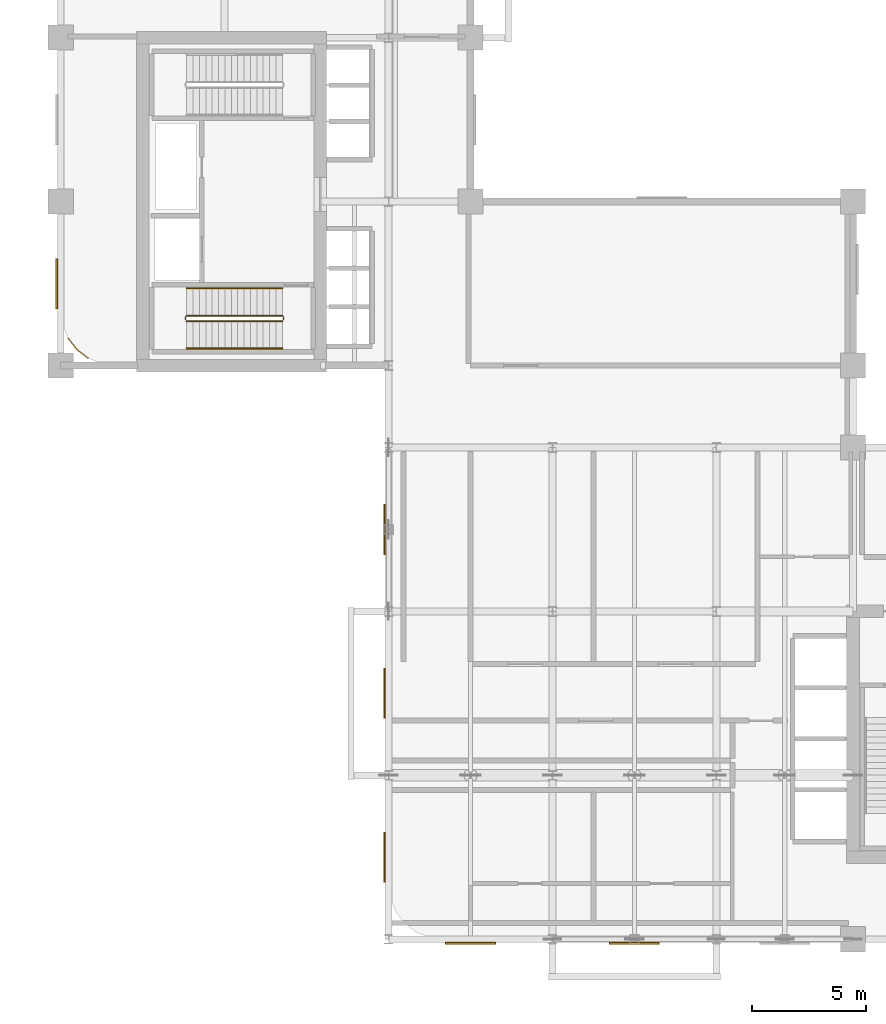
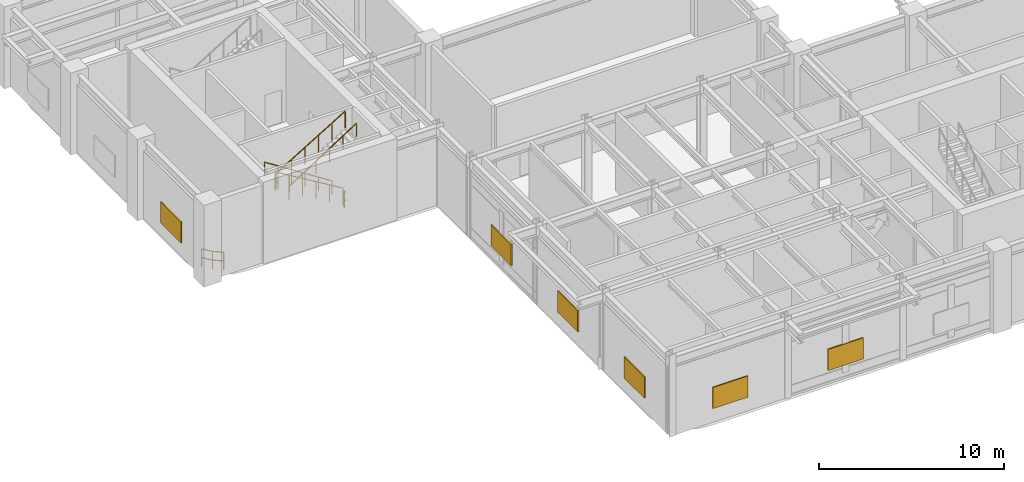
# One storey, part 10 of 12: 7 railings, 6 shading devices.
"""IFC4 building model written with IfcOpenShell, lengths in metres."""

from ifc_helpers import new_model, si_unit, derived_unit, direction, frame, origin, origin_2d, place, context, subcontext, project, spatial, rectangle, extrude, source, transform, mapped, material, layer, layer_set, type_object, type_shapes, element, save


model = new_model("IFC4")

# Units and contexts
model_context = context("Model", 3, precision=1e-05, world=origin(), true_north=direction((0.0, 1.0)))
body_context = subcontext(model_context, "Body", "Model", "MODEL_VIEW")
ifc_project = project(units=[si_unit("LENGTHUNIT", "METRE"), si_unit("AREAUNIT", "SQUARE_METRE"), si_unit("VOLUMEUNIT", "CUBIC_METRE"), si_unit("PLANEANGLEUNIT", "RADIAN"), si_unit("MASSUNIT", "GRAM", prefix="KILO"), si_unit("THERMODYNAMICTEMPERATUREUNIT", "KELVIN"), si_unit("POWERUNIT", "WATT"), derived_unit("THERMALTRANSMITTANCEUNIT", [(si_unit("POWERUNIT", "WATT"), 1), (si_unit("AREAUNIT", "SQUARE_METRE"), -1), (si_unit("THERMODYNAMICTEMPERATUREUNIT", "KELVIN"), -1)])], contexts=[model_context])

# Site, building, storey
site_placement = place(None, origin())
site = spatial("IfcSite", under=ifc_project, at=site_placement, CompositionType="ELEMENT")
building_placement = place(site_placement, origin())
building = spatial("IfcBuilding", under=site, at=building_placement, Name="Zahravan Archway Hotel and Residences", CompositionType="ELEMENT")
storey_placement = place(building_placement, frame((0.0, 0.0, 106.39990234375)))
storey = spatial("IfcBuildingStorey", under=building, at=storey_placement, Name="L26", CompositionType="ELEMENT", Elevation=106.39990234375)

# Railings
ifc_material_1 = material(Name="Painted Tubular Steel", Category="steel")
railing_type_1 = type_object("IfcRailingType", Name="RL-STG-1150", PredefinedType="GUARDRAIL", material=ifc_material_1)
railing_1_placement = place(storey_placement, frame((9.72998046875, 27.389892578125, 0.1689453125)))
element("IfcRailing", 1, at=railing_1_placement, inside=storey, type_object=railing_type_1, Name="L26 ST-B1 stair guard 1", PredefinedType="GUARDRAIL", context=body_context, shape_type="SweptSolid", body=[
    extrude(rectangle(XDim=0.048095703125, YDim=0.048095703125, at=origin_2d()), frame((0.0, 0.0, 1.1259765625), z_axis=(-0.856476492594, 0.0, 0.516186030065), x_axis=(0.0, -1.0, 0.0)), (0.0, 0.0, 1.0), 4.90380859375),
    extrude(rectangle(XDim=0.0419921875, YDim=0.0419921875, at=origin_2d()), origin(), (0.0, 0.0, 1.0), 1.101806640625),
    extrude(rectangle(XDim=0.0419921875, YDim=0.0419921875, at=origin_2d()), frame((-0.840087890625, 0.0, 0.50634765625)), (0.0, 0.0, 1.0), 1.101806640625),
    extrude(rectangle(XDim=0.0419921875, YDim=0.0419921875, at=origin_2d()), frame((-1.679931640625, 0.0, 1.012451171875)), (0.0, 0.0, 1.0), 1.101806640625),
    extrude(rectangle(XDim=0.0419921875, YDim=0.0419921875, at=origin_2d()), frame((-2.52001953125, 0.0, 1.518798828125)), (0.0, 0.0, 1.0), 1.101806640625),
    extrude(rectangle(XDim=0.0419921875, YDim=0.0419921875, at=origin_2d()), frame((-3.35986328125, 0.0, 2.02490234375)), (0.0, 0.0, 1.0), 1.101806640625),
    extrude(rectangle(XDim=0.0419921875, YDim=0.0419921875, at=origin_2d()), frame((-4.199951171875, 0.0, 2.53125)), (0.0, 0.0, 1.0), 1.101806640625),
])
railing_2_placement = place(storey_placement, frame((5.47998046875, 27.340087890625, 2.7001953125)))
element("IfcRailing", 2, at=railing_2_placement, inside=storey, type_object=railing_type_1, Name="L26 ST-B1 stair guard 2", PredefinedType="GUARDRAIL", context=body_context, shape_type="SweptSolid", body=[
    extrude(rectangle(XDim=0.048095703125, YDim=0.048095703125, at=origin_2d()), frame((0.0, 0.0, 1.1259765625), z_axis=(0.0, -1.0, 0.0), x_axis=(1.0, 0.0, 0.0)), (0.0, 0.0, 1.0), 0.14013671875),
    extrude(rectangle(XDim=0.048095703125, YDim=0.048095703125, at=origin_2d()), frame((0.0, 0.0, 0.574951171875), z_axis=(0.0, -1.0, 0.0), x_axis=(1.0, 0.0, 0.0)), (0.0, 0.0, 1.0), 0.14013671875),
    extrude(rectangle(XDim=0.0419921875, YDim=0.0419921875, at=origin_2d()), origin(), (0.0, 0.0, 1.0), 1.101806640625),
])
railing_3_placement = place(storey_placement, frame((5.530029296875, 27.14990234375, 2.868896484375)))
element("IfcRailing", 3, at=railing_3_placement, inside=storey, type_object=railing_type_1, Name="L26 ST-B1 stair guard 3", PredefinedType="GUARDRAIL", context=body_context, shape_type="SweptSolid", body=[
    extrude(rectangle(XDim=0.048095703125, YDim=0.048095703125, at=origin_2d()), frame((0.0, 0.0, 1.1259765625), z_axis=(0.856476492594, 0.0, 0.516186030065), x_axis=(0.0, 1.0, 0.0)), (0.0, 0.0, 1.0), 4.90380859375),
    extrude(rectangle(XDim=0.0419921875, YDim=0.0419921875, at=origin_2d()), origin(), (0.0, 0.0, 1.0), 1.101806640625),
    extrude(rectangle(XDim=0.0419921875, YDim=0.0419921875, at=origin_2d()), frame((0.840087890625, 0.0, 0.50634765625)), (0.0, 0.0, 1.0), 1.101806640625),
    extrude(rectangle(XDim=0.0419921875, YDim=0.0419921875, at=origin_2d()), frame((1.679931640625, 0.0, 1.012451171875)), (0.0, 0.0, 1.0), 1.101806640625),
    extrude(rectangle(XDim=0.0419921875, YDim=0.0419921875, at=origin_2d()), frame((2.52001953125, 0.0, 1.518798828125)), (0.0, 0.0, 1.0), 1.101806640625),
    extrude(rectangle(XDim=0.0419921875, YDim=0.0419921875, at=origin_2d()), frame((3.35986328125, 0.0, 2.02490234375)), (0.0, 0.0, 1.0), 1.101806640625),
    extrude(rectangle(XDim=0.0419921875, YDim=0.0419921875, at=origin_2d()), frame((4.199951171875, 0.0, 2.53125)), (0.0, 0.0, 1.0), 1.101806640625),
])
railing_4_placement = place(storey_placement, frame((9.780029296875, 27.340087890625, 0.0)))
element("IfcRailing", 4, at=railing_4_placement, inside=storey, type_object=railing_type_1, Name="L26 ST-B1 stair guard 4", PredefinedType="GUARDRAIL", context=body_context, shape_type="SweptSolid", body=[
    extrude(rectangle(XDim=0.048095703125, YDim=0.048095703125, at=origin_2d()), frame((0.0, 0.0, 1.1259765625), z_axis=(0.0, -1.0, 0.0), x_axis=(1.0, 0.0, 0.0)), (0.0, 0.0, 1.0), 0.14013671875),
    extrude(rectangle(XDim=0.048095703125, YDim=0.048095703125, at=origin_2d()), frame((0.0, 0.0, 0.574951171875), z_axis=(0.0, -1.0, 0.0), x_axis=(1.0, 0.0, 0.0)), (0.0, 0.0, 1.0), 0.14013671875),
    extrude(rectangle(XDim=0.0419921875, YDim=0.0419921875, at=origin_2d()), origin(), (0.0, 0.0, 1.0), 1.101806640625),
])
ifc_material_2 = material(Name="Brushed Stainless Steel", Category="steel")
railing_type_2 = type_object("IfcRailingType", Name="RL-STH-900", PredefinedType="HANDRAIL", material=ifc_material_2)
railing_5_placement = place(storey_placement, frame((9.72998046875, 28.590087890625, 0.1689453125)))
element("IfcRailing", 5, at=railing_5_placement, inside=storey, type_object=railing_type_2, Name="L26 ST-B1 stair handrail 1", PredefinedType="HANDRAIL", context=body_context, shape_type="SweptSolid", body=[
    extrude(rectangle(XDim=0.048095703125, YDim=0.048095703125, at=origin_2d()), frame((0.0, 0.0, 0.8759765625), z_axis=(-0.841180064094, 0.0, 0.540755119968), x_axis=(0.0, -1.0, 0.0)), (0.0, 0.0, 1.0), 4.992919921875),
    extrude(rectangle(XDim=0.0419921875, YDim=0.0419921875, at=origin_2d()), origin(), (0.0, 0.0, 1.0), 0.851806640625),
    extrude(rectangle(XDim=0.0419921875, YDim=0.0419921875, at=origin_2d()), frame((-0.840087890625, 0.0, 0.5400390625)), (0.0, 0.0, 1.0), 0.851806640625),
    extrude(rectangle(XDim=0.0419921875, YDim=0.0419921875, at=origin_2d()), frame((-1.679931640625, 0.0, 1.080078125)), (0.0, 0.0, 1.0), 0.851806640625),
    extrude(rectangle(XDim=0.0419921875, YDim=0.0419921875, at=origin_2d()), frame((-2.52001953125, 0.0, 1.619873046875)), (0.0, 0.0, 1.0), 0.851806640625),
    extrude(rectangle(XDim=0.0419921875, YDim=0.0419921875, at=origin_2d()), frame((-3.35986328125, 0.0, 2.159912109375)), (0.0, 0.0, 1.0), 0.851806640625),
    extrude(rectangle(XDim=0.0419921875, YDim=0.0419921875, at=origin_2d()), frame((-4.199951171875, 0.0, 2.699951171875)), (0.0, 0.0, 1.0), 0.851806640625),
])
railing_6_placement = place(storey_placement, frame((5.530029296875, 25.949951171875, 2.868896484375)))
element("IfcRailing", 6, at=railing_6_placement, inside=storey, type_object=railing_type_2, Name="L26 ST-B1 stair handrail 2", PredefinedType="HANDRAIL", context=body_context, shape_type="SweptSolid", body=[
    extrude(rectangle(XDim=0.048095703125, YDim=0.048095703125, at=origin_2d()), frame((0.0, 0.0, 0.8759765625), z_axis=(0.841180064094, 0.0, 0.540755119968), x_axis=(0.0, 1.0, 0.0)), (0.0, 0.0, 1.0), 4.992919921875),
    extrude(rectangle(XDim=0.0419921875, YDim=0.0419921875, at=origin_2d()), origin(), (0.0, 0.0, 1.0), 0.851806640625),
    extrude(rectangle(XDim=0.0419921875, YDim=0.0419921875, at=origin_2d()), frame((0.840087890625, 0.0, 0.5400390625)), (0.0, 0.0, 1.0), 0.851806640625),
    extrude(rectangle(XDim=0.0419921875, YDim=0.0419921875, at=origin_2d()), frame((1.679931640625, 0.0, 1.080078125)), (0.0, 0.0, 1.0), 0.851806640625),
    extrude(rectangle(XDim=0.0419921875, YDim=0.0419921875, at=origin_2d()), frame((2.52001953125, 0.0, 1.619873046875)), (0.0, 0.0, 1.0), 0.851806640625),
    extrude(rectangle(XDim=0.0419921875, YDim=0.0419921875, at=origin_2d()), frame((3.35986328125, 0.0, 2.159912109375)), (0.0, 0.0, 1.0), 0.851806640625),
    extrude(rectangle(XDim=0.0419921875, YDim=0.0419921875, at=origin_2d()), frame((4.199951171875, 0.0, 2.699951171875)), (0.0, 0.0, 1.0), 0.851806640625),
])
ifc_material_3 = material(Name="Architectural Bronze Terrace Guardrail")
railing_type_3 = type_object("IfcRailingType", Name="RL-TER-1200", PredefinedType="GUARDRAIL", material=ifc_material_3)
railing_7_placement = place(storey_placement, frame((0.321533203125, 26.39990234375, 0.0)))
element("IfcRailing", 7, at=railing_7_placement, inside=storey, type_object=railing_type_3, Name="L26 Balustrade RL-REFCRN-L26-3", PredefinedType="GUARDRAIL", context=body_context, shape_type="SweptSolid", body=[
    extrude(rectangle(XDim=0.048095703125, YDim=0.048095703125, at=origin_2d()), frame((0.0, 0.0, 1.17578125), z_axis=(0.608693302629, -0.793405610854, 0.0), x_axis=(0.793405610854, 0.608693302629, 0.0)), (0.0, 0.0, 1.0), 0.62646484375),
    extrude(rectangle(XDim=0.048095703125, YDim=0.048095703125, at=origin_2d()), frame((0.0, 0.0, 0.60009765625), z_axis=(0.608693302629, -0.793405610854, 0.0), x_axis=(0.793405610854, 0.608693302629, 0.0)), (0.0, 0.0, 1.0), 0.62646484375),
    extrude(rectangle(XDim=0.048095703125, YDim=0.048095703125, at=origin_2d()), frame((0.38134765625, -0.4970703125, 1.17578125), z_axis=(0.793405610854, -0.608693302629, 0.0), x_axis=(0.608693302629, 0.793405610854, 0.0)), (0.0, 0.0, 1.0), 0.62646484375),
    extrude(rectangle(XDim=0.048095703125, YDim=0.048095703125, at=origin_2d()), frame((0.38134765625, -0.4970703125, 0.60009765625), z_axis=(0.793405610854, -0.608693302629, 0.0), x_axis=(0.608693302629, 0.793405610854, 0.0)), (0.0, 0.0, 1.0), 0.62646484375),
    extrude(rectangle(XDim=0.0419921875, YDim=0.0419921875, at=origin_2d()), origin(), (0.0, 0.0, 1.0), 1.15185546875),
    extrude(rectangle(XDim=0.0419921875, YDim=0.0419921875, at=origin_2d()), frame((0.38134765625, -0.4970703125, 0.0)), (0.0, 0.0, 1.0), 1.15185546875),
    extrude(rectangle(XDim=0.0419921875, YDim=0.0419921875, at=origin_2d()), frame((0.87841796875, -0.87841796875, 0.0)), (0.0, 0.0, 1.0), 1.15185546875),
])

# Shading devices
ifc_material_4 = material(Name="Bronze Acoustic Intake Louvre")
ifc_layer = layer(ifc_material_4, 0.080078125, Name="Bronze Acoustic Intake Louvre")
ifc_layer_set = layer_set([ifc_layer], Name="Bronze Acoustic Intake Louvre")
shading_device_type = type_object("IfcShadingDeviceType", Name="SHD-LOUVRE-60", PredefinedType="USERDEFINED", material=ifc_layer_set)
shared_shape = source(origin(), body_context, "Body", "SweptSolid", [
    extrude(rectangle(XDim=2.199951171875, YDim=0.080078125, at=origin_2d()), origin(), (0.0, 0.0, 1.0), 1.39990234375),
])
type_shapes(shading_device_type, [shared_shape])
for number, where, z_axis, x_axis, name in (
    (8, (18.0, -0.179931640625, 0.9501953125), (0.0, 0.0, 1.0), (1.0, 0.0, 0.0), "L26 Acoustic Plant Intake Louvre 01"),
    (9, (25.199951171875, -0.179931640625, 0.9501953125), (0.0, 0.0, 1.0), (1.0, 0.0, 0.0), "L26 Acoustic Plant Intake Louvre 02"),
    (10, (14.219970703125, 3.60009765625, 0.9501953125), (0.0, 0.0, 1.0), (0.0, 1.0, 0.0), "L26 Acoustic Plant Intake Louvre 13"),
    (11, (14.219970703125, 10.800048828125, 0.9501953125), (0.0, 0.0, 1.0), (0.0, 1.0, 0.0), "L26 Acoustic Plant Intake Louvre 14"),
    (12, (14.219970703125, 18.0, 0.9501953125), (0.0, 0.0, 1.0), (0.0, 1.0, 0.0), "L26 Acoustic Plant Intake Louvre 15"),
    (13, (-0.179931640625, 28.800048828125, 0.9501953125), (0.0, 0.0, 1.0), (0.0, 1.0, 0.0), "L26 Acoustic Plant Intake Louvre 16"),
):
    element("IfcShadingDevice", number, at=place(storey_placement, frame(where, z_axis=z_axis, x_axis=x_axis)), inside=storey, type_object=shading_device_type, Name=name, ObjectType="LOUVER", PredefinedType="USERDEFINED", context=body_context, shape_type="MappedRepresentation", body=[
        mapped(shared_shape, transform((0.0, 0.0, 0.0), scale=1.0)),
    ])

save(model, "model.ifc")
